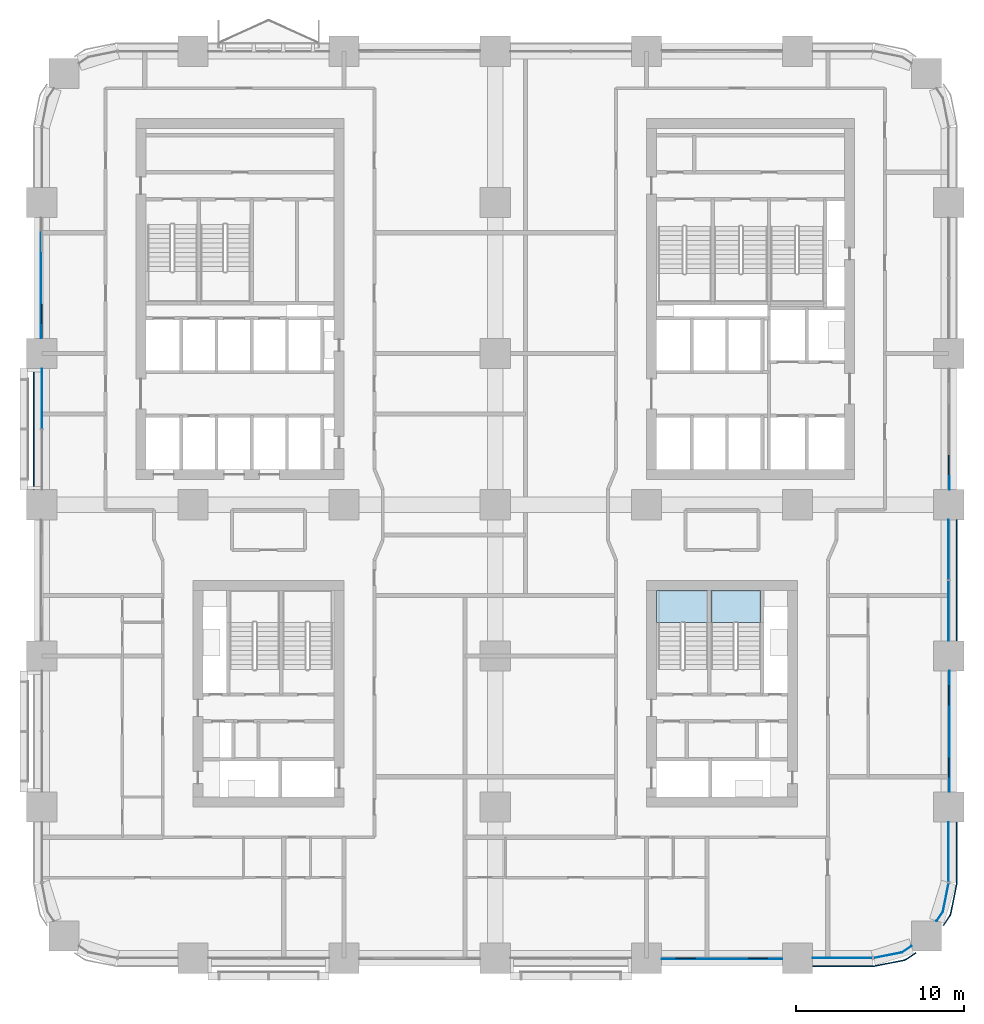
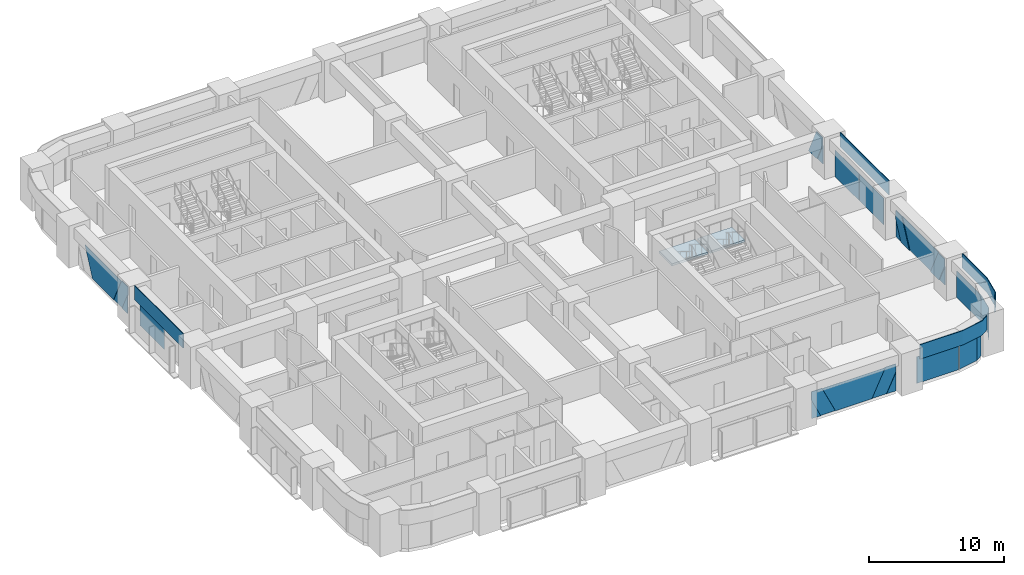
# One storey, part 12 of 23: 26 plates, 2 slabs, 10 elements without a shape of their own.
"""IFC4 building model written with IfcOpenShell, lengths in metres."""

from ifc_helpers import new_model, si_unit, direction, frame, origin, origin_2d, place, context, subcontext, project, spatial, polyline, rectangle, outline, extrude, material, layer, layer_set, type_object, element, aggregate, save


model = new_model("IFC4")

# Units and contexts
model_context = context("Model", 3, precision=1e-05, world=origin(), true_north=direction((0.0, 1.0)))
body_context = subcontext(model_context, "Body", "Model", "MODEL_VIEW")
ifc_project = project(units=[si_unit("LENGTHUNIT", "METRE"), si_unit("AREAUNIT", "SQUARE_METRE"), si_unit("VOLUMEUNIT", "CUBIC_METRE"), si_unit("PLANEANGLEUNIT", "RADIAN"), si_unit("MASSUNIT", "GRAM", prefix="KILO")], contexts=[model_context])

# Site, building, storey
site_placement = place(None, origin())
site = spatial("IfcSite", under=ifc_project, at=site_placement, CompositionType="ELEMENT")
building_placement = place(site_placement, origin())
building = spatial("IfcBuilding", under=site, at=building_placement, Name="Tessera Arch", CompositionType="ELEMENT")
storey_placement = place(building_placement, frame((0.0, 0.0, 57.60009765625)))
storey = spatial("IfcBuildingStorey", under=building, at=storey_placement, Name="L12", CompositionType="ELEMENT", Elevation=57.60009765625)

# Curtain wall, plates
ifc_material_1 = material(Name="CW1 curtain wall")
curtain_wall_type_1 = type_object("IfcCurtainWallType", Name="CW1 curtain wall", PredefinedType="NOTDEFINED", material=ifc_material_1)
curtain_wall_1_placement = place(storey_placement, origin())
curtain_wall_1 = element("IfcCurtainWall", 1, at=curtain_wall_1_placement, inside=storey, type_object=curtain_wall_type_1, Name="CW1 curtain wall E54.0/2 L12", PredefinedType="NOTDEFINED")
ifc_material_2 = material(Name="Clear low-e glass", Category="glass")
ifc_material_3 = material(Name="Clear low-e glass", Category="glass")
ifc_layer_1 = layer(ifc_material_3, 0.028076171875)
ifc_layer_set_1 = layer_set([ifc_layer_1], Name="CW1 glass panel")
plate_type_1 = type_object("IfcPlateType", Name="CW1 glass panel", PredefinedType="CURTAIN_PANEL", material=ifc_layer_set_1)
plate_1_placement = place(storey_placement, frame((54.0, 20.68505859375, 0.0), z_axis=(0.0, 0.0, 1.0), x_axis=(0.0, 1.0, 0.0)))
plate_1 = element("IfcPlate", 2, at=plate_1_placement, type_object=plate_type_1, material=ifc_material_2, Name="CW1 glass panel E54.0/2 1.1.1", PredefinedType="CURTAIN_PANEL", context=body_context, shape_type="SweptSolid", body=[
    extrude(rectangle(XDim=3.570068359375, YDim=0.028076171875, at=origin_2d()), origin(), (0.0, 0.0, 1.0), 2.39990234375),
])
plate_2_placement = place(storey_placement, frame((54.0, 24.31494140625, 0.0), z_axis=(0.0, 0.0, 1.0), x_axis=(0.0, 1.0, 0.0)))
plate_2 = element("IfcPlate", 3, at=plate_2_placement, type_object=plate_type_1, material=ifc_material_2, Name="CW1 glass panel E54.0/2 1.2.1", PredefinedType="CURTAIN_PANEL", context=body_context, shape_type="SweptSolid", body=[
    extrude(rectangle(XDim=3.570068359375, YDim=0.028076171875, at=origin_2d()), origin(), (0.0, 0.0, 1.0), 2.39990234375),
])

# Curtain wall, plate
curtain_wall_2_placement = place(storey_placement, origin())
curtain_wall_2 = element("IfcCurtainWall", 4, at=curtain_wall_2_placement, inside=storey, type_object=curtain_wall_type_1, Name="CW1 curtain wall W0.0/2 L12", PredefinedType="NOTDEFINED")
plate_3_placement = place(storey_placement, frame((0.0, 33.31494140625, 0.0), z_axis=(0.0, 0.0, 1.0), x_axis=(0.0, -1.0, 0.0)))
plate_3 = element("IfcPlate", 5, at=plate_3_placement, type_object=plate_type_1, material=ifc_material_2, Name="CW1 glass panel W0.0/2 1.1.1", PredefinedType="CURTAIN_PANEL", context=body_context, shape_type="SweptSolid", body=[
    extrude(rectangle(XDim=3.570068359375, YDim=0.028076171875, at=origin_2d()), origin(), (0.0, 0.0, 1.0), 2.39990234375),
])

# Plate
ifc_material_4 = material(Name="Pale anodised aluminium panel", Category="aluminium")
ifc_layer_2 = layer(ifc_material_4, 0.06005859375)
ifc_layer_set_2 = layer_set([ifc_layer_2], Name="CW1 spandrel panel")
plate_type_2 = type_object("IfcPlateType", Name="CW1 spandrel panel", PredefinedType="CURTAIN_PANEL", material=ifc_layer_set_2)
plate_4_placement = place(storey_placement, frame((54.47998046875, 22.5, 2.5), z_axis=(0.0, 0.0, 1.0), x_axis=(0.0, 1.0, 0.0)))
plate_4 = element("IfcPlate", 6, at=plate_4_placement, type_object=plate_type_2, Name="CW1 spandrel panel E54.0/2", PredefinedType="CURTAIN_PANEL", context=body_context, shape_type="SweptSolid", body=[
    extrude(rectangle(XDim=7.199951171875, YDim=0.06005859375, at=origin_2d()), origin(), (0.0, 0.0, 1.0), 1.300048828125),
])

aggregate(curtain_wall_1, [plate_1, plate_2, plate_4])

plate_5_placement = place(storey_placement, frame((-0.47998046875, 31.5, 2.5), z_axis=(0.0, 0.0, 1.0), x_axis=(0.0, -1.0, 0.0)))
plate_5 = element("IfcPlate", 7, at=plate_5_placement, type_object=plate_type_2, Name="CW1 spandrel panel W0.0/2", PredefinedType="CURTAIN_PANEL", context=body_context, shape_type="SweptSolid", body=[
    extrude(rectangle(XDim=7.199951171875, YDim=0.06005859375, at=origin_2d()), origin(), (0.0, 0.0, 1.0), 1.300048828125),
])

aggregate(curtain_wall_2, [plate_3, plate_5])

# Curtain wall, plates
ifc_material_5 = material(Name="CW2 curtain wall")
curtain_wall_type_2 = type_object("IfcCurtainWallType", Name="CW2 curtain wall", PredefinedType="NOTDEFINED", material=ifc_material_5)
curtain_wall_3_placement = place(storey_placement, origin())
curtain_wall_3 = element("IfcCurtainWall", 8, at=curtain_wall_3_placement, inside=storey, type_object=curtain_wall_type_2, Name="CW2 curtain wall S0.0/4 L12", PredefinedType="NOTDEFINED")
ifc_material_6 = material(Name="Clear low-e glass", Category="glass")
ifc_layer_3 = layer(ifc_material_6, 0.028076171875)
ifc_layer_set_3 = layer_set([ifc_layer_3], Name="CW2 glass panel")
plate_type_3 = type_object("IfcPlateType", Name="CW2 glass panel", PredefinedType="CURTAIN_PANEL", material=ifc_layer_set_3)
plate_6_placement = place(storey_placement, frame((47.679931640625, 0.0, 0.0), z_axis=(0.0, 0.0, 1.0), x_axis=(1.0, 0.0, 0.0)))
plate_6 = element("IfcPlate", 9, at=plate_6_placement, type_object=plate_type_3, material=ifc_material_2, Name="CW2 glass panel S0.0/4 1.1", PredefinedType="CURTAIN_PANEL", context=body_context, shape_type="SweptSolid", body=[
    extrude(rectangle(XDim=3.56005859375, YDim=0.028076171875, at=origin_2d()), origin(), (0.0, 0.0, 1.0), 2.39990234375),
])
plate_7_placement = place(storey_placement, origin())
plate_7 = element("IfcPlate", 10, at=plate_7_placement, type_object=plate_type_3, material=ifc_material_2, Name="CW2 curved glass panel S0.0/4 2.1", PredefinedType="CURTAIN_PANEL", context=body_context, shape_type="SweptSolid", body=[
    extrude(outline(polyline([(51.216552734375, 0.355712890625), (49.53662109375, 0.021484375), (49.5419921875, -0.005859375), (51.2275390625, 0.329345703125), (51.789794921875, 0.705078125), (51.774169921875, 0.728271484375), (51.216552734375, 0.355712890625)])), origin(), (0.0, 0.0, 1.0), 2.39990234375),
])

curtain_wall_4_placement = place(storey_placement, origin())
curtain_wall_4 = element("IfcCurtainWall", 11, at=curtain_wall_4_placement, inside=storey, type_object=curtain_wall_type_2, Name="CW2 curtain wall E54.0/0 L12", PredefinedType="NOTDEFINED")
plate_8_placement = place(storey_placement, frame((54.0, 6.320068359375, 0.0), z_axis=(0.0, 0.0, 1.0), x_axis=(0.0, 1.0, 0.0)))
plate_8 = element("IfcPlate", 12, at=plate_8_placement, type_object=plate_type_3, material=ifc_material_2, Name="CW2 glass panel E54.0/0 1.1", PredefinedType="CURTAIN_PANEL", context=body_context, shape_type="SweptSolid", body=[
    extrude(rectangle(XDim=3.56005859375, YDim=0.028076171875, at=origin_2d()), origin(), (0.0, 0.0, 1.0), 2.39990234375),
])
plate_9_placement = place(storey_placement, origin())
plate_9 = element("IfcPlate", 13, at=plate_9_placement, type_object=plate_type_3, material=ifc_material_2, Name="CW2 curved glass panel E54.0/0 2.1", PredefinedType="CURTAIN_PANEL", context=body_context, shape_type="SweptSolid", body=[
    extrude(outline(polyline([(53.644287109375, 2.783447265625), (53.271728515625, 2.225830078125), (53.294921875, 2.210205078125), (53.670654296875, 2.7724609375), (54.005859375, 4.4580078125), (53.978515625, 4.46337890625), (53.644287109375, 2.783447265625)])), origin(), (0.0, 0.0, 1.0), 2.39990234375),
])

# Plate
ifc_material_7 = material(Name="Pale anodised aluminium panel", Category="aluminium")
ifc_layer_4 = layer(ifc_material_7, 0.06005859375)
ifc_layer_set_4 = layer_set([ifc_layer_4], Name="CW2 spandrel panel")
plate_type_4 = type_object("IfcPlateType", Name="CW2 spandrel panel", PredefinedType="CURTAIN_PANEL", material=ifc_layer_set_4)
plate_10_placement = place(storey_placement, frame((0.0, 0.0, 2.5)))
plate_10 = element("IfcPlate", 14, at=plate_10_placement, type_object=plate_type_4, Name="CW2 spandrel panel S0.0/4", PredefinedType="CURTAIN_PANEL", context=body_context, shape_type="SweptSolid", body=[
    extrude(outline(polyline([(49.499267578125, -0.449951171875), (45.89990234375, -0.449951171875), (45.89990234375, -0.510009765625), (49.500732421875, -0.510009765625), (49.550048828125, -0.507568359375), (49.598876953125, -0.500244140625), (51.322265625, -0.157470703125), (51.3701171875, -0.1455078125), (51.417236328125, -0.128662109375), (51.462646484375, -0.107177734375), (51.5048828125, -0.08203125), (52.0654296875, 0.292724609375), (52.031982421875, 0.342529296875), (51.47265625, -0.03125), (51.434326171875, -0.05419921875), (51.394287109375, -0.0732421875), (51.352783203125, -0.088134765625), (51.30908203125, -0.09912109375), (49.588623046875, -0.441162109375), (49.544189453125, -0.44775390625), (49.499267578125, -0.449951171875)])), origin(), (0.0, 0.0, 1.0), 1.2998046875),
])

aggregate(curtain_wall_3, [plate_6, plate_7, plate_10])

plate_11_placement = place(storey_placement, frame((0.0, 0.0, 2.5)))
plate_11 = element("IfcPlate", 15, at=plate_11_placement, type_object=plate_type_4, Name="CW2 spandrel panel E54.0/0", PredefinedType="CURTAIN_PANEL", context=body_context, shape_type="SweptSolid", body=[
    extrude(outline(polyline([(54.03125, 2.52734375), (53.657470703125, 1.968017578125), (53.707275390625, 1.9345703125), (54.08203125, 2.4951171875), (54.107177734375, 2.537353515625), (54.128662109375, 2.582763671875), (54.1455078125, 2.6298828125), (54.157470703125, 2.677734375), (54.500244140625, 4.401123046875), (54.507568359375, 4.449951171875), (54.510009765625, 4.499267578125), (54.510009765625, 8.10009765625), (54.449951171875, 8.10009765625), (54.449951171875, 4.500732421875), (54.44775390625, 4.455810546875), (54.441162109375, 4.411376953125), (54.09912109375, 2.69091796875), (54.088134765625, 2.647216796875), (54.0732421875, 2.605712890625), (54.05419921875, 2.565673828125), (54.03125, 2.52734375)])), origin(), (0.0, 0.0, 1.0), 1.2998046875),
])

aggregate(curtain_wall_4, [plate_8, plate_9, plate_11])

# Curtain wall, plates
ifc_material_8 = material(Name="CW3 curtain wall")
curtain_wall_type_3 = type_object("IfcCurtainWallType", Name="CW3 curtain wall", PredefinedType="NOTDEFINED", material=ifc_material_8)
curtain_wall_5_placement = place(storey_placement, origin())
curtain_wall_5 = element("IfcCurtainWall", 16, at=curtain_wall_5_placement, inside=storey, type_object=curtain_wall_type_3, Name="CW3 curtain wall S0.0/3 L12", PredefinedType="NOTDEFINED")
ifc_material_9 = material(Name="Pale anodised aluminium panel", Category="aluminium")
ifc_layer_5 = layer(ifc_material_9, 0.06005859375)
ifc_layer_set_5 = layer_set([ifc_layer_5], Name="CW3 diagonal panel")
plate_type_5 = type_object("IfcPlateType", Name="CW3 diagonal panel", PredefinedType="CURTAIN_PANEL", material=ifc_layer_set_5)
plate_12_placement = place(storey_placement, frame((44.10009765625, -0.030029296875, 2.39990234375), z_axis=(0.0, -1.0, 0.0), x_axis=(-1.0, 0.0, 0.0)))
plate_12 = element("IfcPlate", 17, at=plate_12_placement, type_object=plate_type_5, Name="CW3 diagonal panel S0.0/3 1", PredefinedType="CURTAIN_PANEL", context=body_context, shape_type="SweptSolid", body=[
    extrude(outline(polyline([(0.0, 0.0), (0.912841796875, 0.0), (2.049560546875, 2.39990234375), (0.792724609375, 2.39990234375), (0.0, 0.726806640625), (0.0, 0.0)])), origin(), (0.0, 0.0, -1.0), 0.06005859375),
])
plate_13_placement = place(storey_placement, frame((36.89990234375, -0.030029296875, 2.39990234375), z_axis=(0.0, -1.0, 0.0), x_axis=(0.0, 0.0, -1.0)))
plate_13 = element("IfcPlate", 18, at=plate_13_placement, type_object=plate_type_5, Name="CW3 diagonal panel S0.0/3 2", PredefinedType="CURTAIN_PANEL", context=body_context, shape_type="SweptSolid", body=[
    extrude(outline(polyline([(0.0, 0.0), (0.726806640625, 0.0), (2.39990234375, 0.792724609375), (2.39990234375, 2.049560546875), (0.0, 0.912841796875), (0.0, 0.0)])), origin(), (0.0, 0.0, -1.0), 0.06005859375),
])

curtain_wall_6_placement = place(storey_placement, origin())
curtain_wall_6 = element("IfcCurtainWall", 19, at=curtain_wall_6_placement, inside=storey, type_object=curtain_wall_type_3, Name="CW3 curtain wall E54.0/1 L12", PredefinedType="NOTDEFINED")
plate_14_placement = place(storey_placement, frame((54.030029296875, 17.10009765625, 2.39990234375), z_axis=(1.0, 0.0, 0.0), x_axis=(0.0, -1.0, 0.0)))
plate_14 = element("IfcPlate", 20, at=plate_14_placement, type_object=plate_type_5, Name="CW3 diagonal panel E54.0/1 1", PredefinedType="CURTAIN_PANEL", context=body_context, shape_type="SweptSolid", body=[
    extrude(outline(polyline([(0.0, 0.0), (0.912841796875, 0.0), (2.049560546875, 2.39990234375), (0.792724609375, 2.39990234375), (0.0, 0.726806640625), (0.0, 0.0)])), origin(), (0.0, 0.0, -1.0), 0.06005859375),
])
plate_15_placement = place(storey_placement, frame((54.030029296875, 9.89990234375, 2.39990234375), z_axis=(1.0, 0.0, 0.0), x_axis=(0.0, 0.0, -1.0)))
plate_15 = element("IfcPlate", 21, at=plate_15_placement, type_object=plate_type_5, Name="CW3 diagonal panel E54.0/1 2", PredefinedType="CURTAIN_PANEL", context=body_context, shape_type="SweptSolid", body=[
    extrude(outline(polyline([(0.0, 0.0), (0.726806640625, 0.0), (2.39990234375, 0.792724609375), (2.39990234375, 2.049560546875), (0.0, 0.912841796875), (0.0, 0.0)])), origin(), (0.0, 0.0, -1.0), 0.06005859375),
])

# Curtain wall, plate
curtain_wall_7_placement = place(storey_placement, origin())
curtain_wall_7 = element("IfcCurtainWall", 22, at=curtain_wall_7_placement, inside=storey, type_object=curtain_wall_type_3, Name="CW3 curtain wall E54.0/3 L12", PredefinedType="NOTDEFINED")
plate_16_placement = place(storey_placement, frame((54.030029296875, 27.89990234375, 2.39990234375), z_axis=(1.0, 0.0, 0.0), x_axis=(0.0, 0.0, -1.0)))
plate_16 = element("IfcPlate", 23, at=plate_16_placement, type_object=plate_type_5, Name="CW3 diagonal panel E54.0/3 2", PredefinedType="CURTAIN_PANEL", context=body_context, shape_type="SweptSolid", body=[
    extrude(outline(polyline([(0.0, 0.0), (0.726806640625, 0.0), (2.39990234375, 0.792724609375), (2.39990234375, 2.049560546875), (0.0, 0.912841796875), (0.0, 0.0)])), origin(), (0.0, 0.0, -1.0), 0.06005859375),
])

curtain_wall_8_placement = place(storey_placement, origin())
curtain_wall_8 = element("IfcCurtainWall", 24, at=curtain_wall_8_placement, inside=storey, type_object=curtain_wall_type_3, Name="CW3 curtain wall W0.0/1 L12", PredefinedType="NOTDEFINED")
plate_17_placement = place(storey_placement, frame((-0.030029296875, 36.89990234375, 2.39990234375), z_axis=(-1.0, 0.0, 0.0), x_axis=(0.0, 1.0, 0.0)))
plate_17 = element("IfcPlate", 25, at=plate_17_placement, type_object=plate_type_5, Name="CW3 diagonal panel W0.0/1 1", PredefinedType="CURTAIN_PANEL", context=body_context, shape_type="SweptSolid", body=[
    extrude(outline(polyline([(0.0, 0.0), (0.912841796875, 0.0), (2.049560546875, 2.39990234375), (0.792724609375, 2.39990234375), (0.0, 0.726806640625), (0.0, 0.0)])), origin(), (0.0, 0.0, -1.0), 0.06005859375),
])

# Plate
ifc_material_10 = material(Name="Clear low-e glass", Category="glass")
ifc_layer_6 = layer(ifc_material_10, 0.028076171875)
ifc_layer_set_6 = layer_set([ifc_layer_6], Name="CW3 glass panel")
plate_type_6 = type_object("IfcPlateType", Name="CW3 glass panel", PredefinedType="CURTAIN_PANEL", material=ifc_layer_set_6)
plate_18_placement = place(storey_placement, frame((36.89990234375, -0.05810546875, 0.0), z_axis=(0.0, -1.0, 0.0), x_axis=(1.0, 0.0, 0.0)))
plate_18 = element("IfcPlate", 26, at=plate_18_placement, type_object=plate_type_6, material=ifc_material_2, Name="CW3 triangulated glass panel S0.0/3 1", PredefinedType="CURTAIN_PANEL", context=body_context, shape_type="SweptSolid", body=[
    extrude(outline(polyline([(0.0, 0.0), (0.792724609375, 0.0), (0.0, 1.673095703125), (0.0, 0.0)])), origin(), (0.0, 0.0, -1.0), 0.028076171875),
])

plate_19_placement = place(storey_placement, frame((43.187255859375, -0.05810546875, 2.39990234375), z_axis=(0.0, -1.0, 0.0), x_axis=(-1.0, 0.0, 0.0)))
plate_19 = element("IfcPlate", 27, at=plate_19_placement, type_object=plate_type_6, material=ifc_material_2, Name="CW3 triangulated glass panel S0.0/3 2", PredefinedType="CURTAIN_PANEL", context=body_context, shape_type="SweptSolid", body=[
    extrude(outline(polyline([(0.0, 0.0), (5.37451171875, 0.0), (4.23779296875, 2.39990234375), (1.13671875, 2.39990234375), (0.0, 0.0)])), origin(), (0.0, 0.0, -1.0), 0.028076171875),
])

plate_20_placement = place(storey_placement, frame((44.10009765625, -0.05810546875, 0.0), z_axis=(0.0, -1.0, 0.0), x_axis=(0.0, 0.0, 1.0)))
plate_20 = element("IfcPlate", 28, at=plate_20_placement, type_object=plate_type_6, material=ifc_material_2, Name="CW3 triangulated glass panel S0.0/3 3", PredefinedType="CURTAIN_PANEL", context=body_context, shape_type="SweptSolid", body=[
    extrude(outline(polyline([(0.0, 0.0), (1.673095703125, 0.0), (0.0, 0.792724609375), (0.0, 0.0)])), origin(), (0.0, 0.0, -1.0), 0.028076171875),
])

aggregate(curtain_wall_5, [plate_18, plate_19, plate_20, plate_12, plate_13])

plate_21_placement = place(storey_placement, frame((54.05810546875, 9.89990234375, 0.0), z_axis=(1.0, 0.0, 0.0), x_axis=(0.0, 1.0, 0.0)))
plate_21 = element("IfcPlate", 29, at=plate_21_placement, type_object=plate_type_6, material=ifc_material_2, Name="CW3 triangulated glass panel E54.0/1 1", PredefinedType="CURTAIN_PANEL", context=body_context, shape_type="SweptSolid", body=[
    extrude(outline(polyline([(0.0, 0.0), (0.792724609375, 0.0), (0.0, 1.673095703125), (0.0, 0.0)])), origin(), (0.0, 0.0, -1.0), 0.028076171875),
])

plate_22_placement = place(storey_placement, frame((54.05810546875, 16.187255859375, 2.39990234375), z_axis=(1.0, 0.0, 0.0), x_axis=(0.0, -1.0, 0.0)))
plate_22 = element("IfcPlate", 30, at=plate_22_placement, type_object=plate_type_6, material=ifc_material_2, Name="CW3 triangulated glass panel E54.0/1 2", PredefinedType="CURTAIN_PANEL", context=body_context, shape_type="SweptSolid", body=[
    extrude(outline(polyline([(0.0, 0.0), (5.37451171875, 0.0), (4.23779296875, 2.39990234375), (1.13671875, 2.39990234375), (0.0, 0.0)])), origin(), (0.0, 0.0, -1.0), 0.028076171875),
])

plate_23_placement = place(storey_placement, frame((54.05810546875, 17.10009765625, 0.0), z_axis=(1.0, 0.0, 0.0), x_axis=(0.0, 0.0, 1.0)))
plate_23 = element("IfcPlate", 31, at=plate_23_placement, type_object=plate_type_6, material=ifc_material_2, Name="CW3 triangulated glass panel E54.0/1 3", PredefinedType="CURTAIN_PANEL", context=body_context, shape_type="SweptSolid", body=[
    extrude(outline(polyline([(0.0, 0.0), (1.673095703125, 0.0), (0.0, 0.792724609375), (0.0, 0.0)])), origin(), (0.0, 0.0, -1.0), 0.028076171875),
])

aggregate(curtain_wall_6, [plate_21, plate_22, plate_23, plate_14, plate_15])

plate_24_placement = place(storey_placement, frame((54.05810546875, 27.89990234375, 0.0), z_axis=(1.0, 0.0, 0.0), x_axis=(0.0, 1.0, 0.0)))
plate_24 = element("IfcPlate", 32, at=plate_24_placement, type_object=plate_type_6, material=ifc_material_2, Name="CW3 triangulated glass panel E54.0/3 1", PredefinedType="CURTAIN_PANEL", context=body_context, shape_type="SweptSolid", body=[
    extrude(outline(polyline([(0.0, 0.0), (0.792724609375, 0.0), (0.0, 1.673095703125), (0.0, 0.0)])), origin(), (0.0, 0.0, -1.0), 0.028076171875),
])

aggregate(curtain_wall_7, [plate_24, plate_16])

plate_25_placement = place(storey_placement, frame((-0.05810546875, 37.812744140625, 2.39990234375), z_axis=(-1.0, 0.0, 0.0), x_axis=(0.0, 1.0, 0.0)))
plate_25 = element("IfcPlate", 33, at=plate_25_placement, type_object=plate_type_6, material=ifc_material_2, Name="CW3 triangulated glass panel W0.0/1 2", PredefinedType="CURTAIN_PANEL", context=body_context, shape_type="SweptSolid", body=[
    extrude(outline(polyline([(0.0, 0.0), (5.37451171875, 0.0), (4.23779296875, 2.39990234375), (1.13671875, 2.39990234375), (0.0, 0.0)])), origin(), (0.0, 0.0, -1.0), 0.028076171875),
])

plate_26_placement = place(storey_placement, frame((-0.05810546875, 36.89990234375, 0.0), z_axis=(-1.0, 0.0, 0.0), x_axis=(0.0, 0.0, 1.0)))
plate_26 = element("IfcPlate", 34, at=plate_26_placement, type_object=plate_type_6, material=ifc_material_2, Name="CW3 triangulated glass panel W0.0/1 3", PredefinedType="CURTAIN_PANEL", context=body_context, shape_type="SweptSolid", body=[
    extrude(outline(polyline([(0.0, 0.0), (1.673095703125, 0.0), (0.0, 0.792724609375), (0.0, 0.0)])), origin(), (0.0, 0.0, -1.0), 0.028076171875),
])

aggregate(curtain_wall_8, [plate_25, plate_26, plate_17])

# Stair, slab
ifc_material_11 = material(Name="Concrete C40/50", Category="concrete")
stair_type = type_object("IfcStairType", Name="Dogleg stair 1400", PredefinedType="HALF_TURN_STAIR", material=ifc_material_11)
stair_1_placement = place(storey_placement, origin())
stair_1 = element("IfcStair", 35, at=stair_1_placement, inside=storey, type_object=stair_type, Name="L12 S3a", PredefinedType="HALF_TURN_STAIR")
ifc_material_12 = material(Name="Concrete C40/50", Category="concrete")
ifc_layer_7 = layer(ifc_material_12, 0.300048828125)
ifc_layer_set_7 = layer_set([ifc_layer_7], Name="Stair landing 300")
slab_type = type_object("IfcSlabType", Name="Stair landing 300", PredefinedType="LANDING", material=ifc_layer_set_7)
slab_1_placement = place(storey_placement, frame((0.0, 0.0, 1.699951171875)))
slab_1 = element("IfcSlab", 36, at=slab_1_placement, type_object=slab_type, Name="S3a landing 1", PredefinedType="LANDING", context=body_context, shape_type="SweptSolid", body=[
    extrude(outline(polyline([(39.64990234375, 20.0), (39.64990234375, 21.89990234375), (36.60009765625, 21.89990234375), (36.60009765625, 20.0), (39.64990234375, 20.0)])), origin(), (0.0, 0.0, 1.0), 0.199951171875),
])
aggregate(stair_1, [slab_1])

stair_2_placement = place(storey_placement, origin())
stair_2 = element("IfcStair", 37, at=stair_2_placement, inside=storey, type_object=stair_type, Name="L12 S3b", PredefinedType="HALF_TURN_STAIR")
slab_2_placement = place(storey_placement, frame((0.0, 0.0, 1.699951171875)))
slab_2 = element("IfcSlab", 38, at=slab_2_placement, type_object=slab_type, Name="S3b landing 1", PredefinedType="LANDING", context=body_context, shape_type="SweptSolid", body=[
    extrude(outline(polyline([(42.800048828125, 20.0), (42.800048828125, 21.89990234375), (39.85009765625, 21.89990234375), (39.85009765625, 20.0), (42.800048828125, 20.0)])), origin(), (0.0, 0.0, 1.0), 0.199951171875),
])
aggregate(stair_2, [slab_2])

save(model, "model.ifc")
